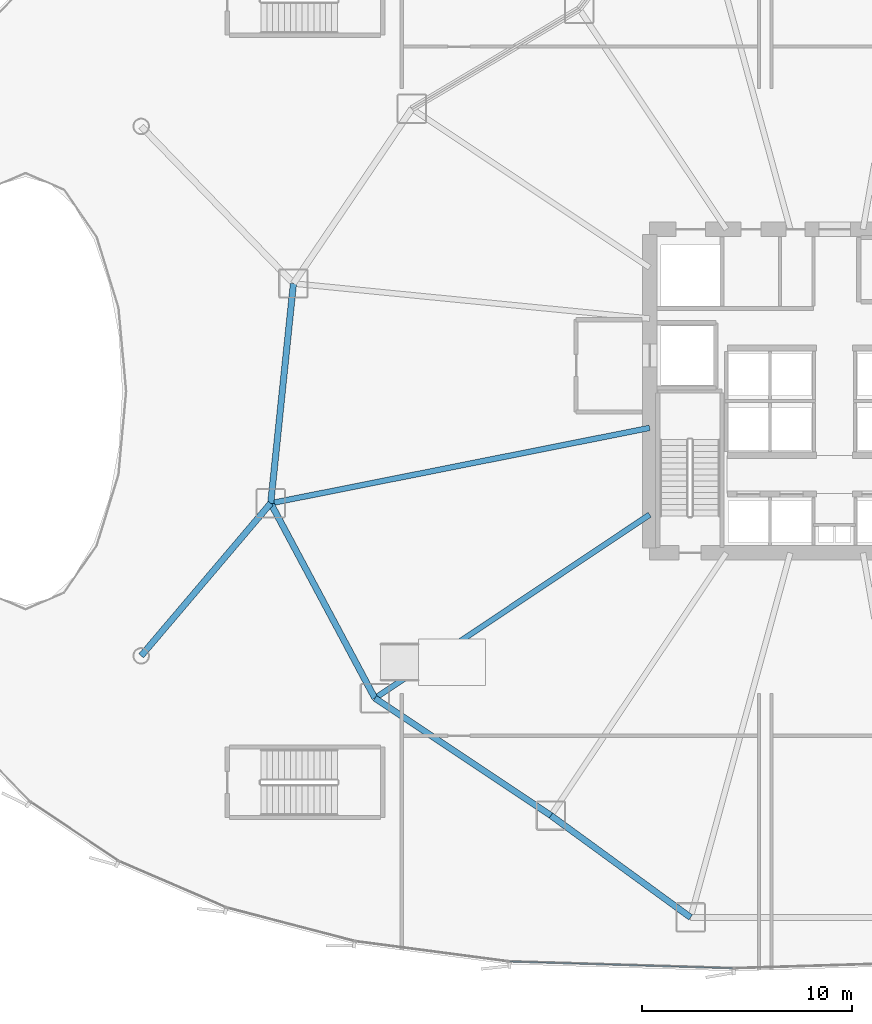
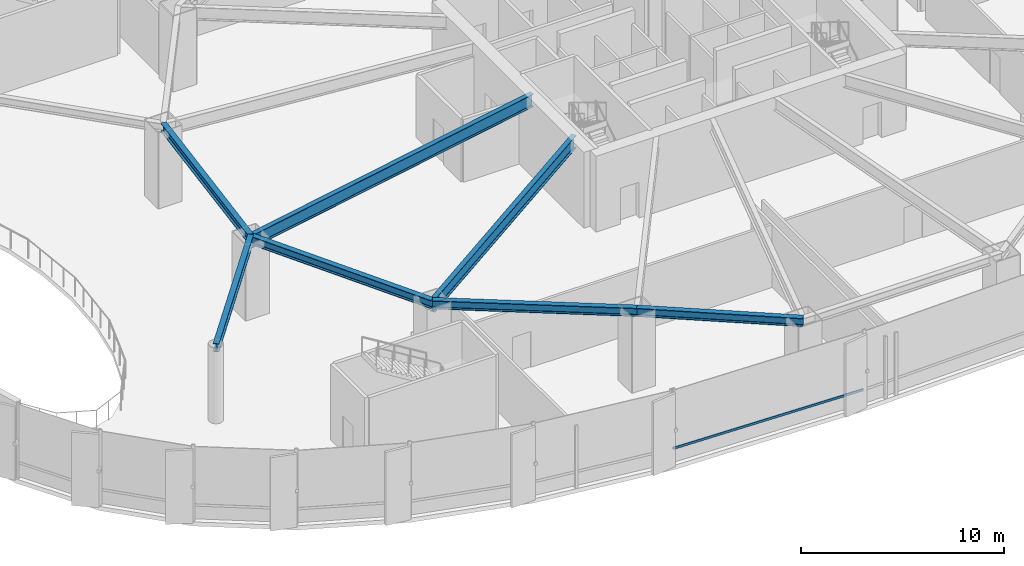
# One storey, part 5 of 34: 7 beams, 1 member, 1 element without a shape of its own.
"""IFC4 building model written with IfcOpenShell, lengths in metres."""

from ifc_helpers import new_model, si_unit, direction, frame, origin, origin_2d, place, context, subcontext, project, spatial, hollow_rectangle, i_section, extrude, source, transform, mapped, material, layer, layer_set, material_profile, profile_set, type_object, element, aggregate, save


model = new_model("IFC4")

# Units and contexts
model_context = context("Model", 3, precision=1e-05, world=origin(), true_north=direction((0.0, 1.0)))
body_context = subcontext(model_context, "Body", "Model", "MODEL_VIEW")
ifc_project = project(units=[si_unit("LENGTHUNIT", "METRE"), si_unit("AREAUNIT", "SQUARE_METRE"), si_unit("VOLUMEUNIT", "CUBIC_METRE"), si_unit("PLANEANGLEUNIT", "RADIAN"), si_unit("MASSUNIT", "GRAM", prefix="KILO"), si_unit("THERMODYNAMICTEMPERATUREUNIT", "KELVIN")], contexts=[model_context])

# Site, building, storey
site_placement = place(None, origin())
site = spatial("IfcSite", under=ifc_project, at=site_placement, CompositionType="ELEMENT")
building_placement = place(site_placement, origin())
building = spatial("IfcBuilding", under=site, at=building_placement, Name="Kethvar Cultural Tower", CompositionType="ELEMENT")
storey_placement = place(building_placement, frame((0.0, 0.0, 5.199951171875)))
storey = spatial("IfcBuildingStorey", under=building, at=storey_placement, Name="L01", CompositionType="ELEMENT", Elevation=5.199951171875)

# Beams
ifc_material_1 = material(Name="Steel S355J2", Category="steel")
ifc_material_profile_1 = material_profile(ifc_material_1, i_section(OverallWidth=0.300048828125, OverallDepth=0.5, WebThickness=0.014404296875, FlangeThickness=0.028076171875, FilletRadius=0.027099609375, at=origin_2d()), Name="Steel S355J2 — HEB500")
ifc_profile_set_1 = profile_set([ifc_material_profile_1], Name="Steel S355J2 — HEB500")
beam_type_1 = type_object("IfcBeamType", Name="BM-SP500", PredefinedType="SPANDREL", material=ifc_profile_set_1)
shared_shape_1 = source(origin(), body_context, "Body", "SweptSolid", [
    extrude(i_section(OverallWidth=0.300048828125, OverallDepth=0.5, WebThickness=0.014404296875, FlangeThickness=0.028076171875, FilletRadius=0.027099609375, at=origin_2d()), origin(), (0.0, 0.0, 1.0), 10.515869140625),
])
beam_1_placement = place(storey_placement, frame((21.047119140625, 32.922607421875, 4.298095703125), z_axis=(-0.102824694973, -0.994699493367, 0.0), x_axis=(0.994699493367, -0.102824694973, 0.0)))
element("IfcBeam", 1, at=beam_1_placement, inside=storey, type_object=beam_type_1, Name="L01 Podium Ring Beam 08", PredefinedType="SPANDREL", context=body_context, shape_type="MappedRepresentation", body=[
    mapped(shared_shape_1, transform((0.0, 0.0, 0.0), scale=1.0)),
])
shared_shape_2 = source(origin(), body_context, "Body", "SweptSolid", [
    extrude(i_section(OverallWidth=0.300048828125, OverallDepth=0.5, WebThickness=0.014404296875, FlangeThickness=0.028076171875, FilletRadius=0.027099609375, at=origin_2d()), origin(), (0.0, 0.0, 1.0), 10.52099609375),
])
beam_2_placement = place(storey_placement, frame((19.9658203125, 22.46240234375, 4.298095703125), z_axis=(0.471339616984, -0.881951793162, 0.0), x_axis=(0.881951793162, 0.471339616984, 0.0)))
element("IfcBeam", 2, at=beam_2_placement, inside=storey, type_object=beam_type_1, Name="L01 Podium Ring Beam 09", PredefinedType="SPANDREL", context=body_context, shape_type="MappedRepresentation", body=[
    mapped(shared_shape_2, transform((0.0, 0.0, 0.0), scale=1.0)),
])
shared_shape_3 = source(origin(), body_context, "Body", "SweptSolid", [
    extrude(i_section(OverallWidth=0.300048828125, OverallDepth=0.5, WebThickness=0.014404296875, FlangeThickness=0.028076171875, FilletRadius=0.027099609375, at=origin_2d()), origin(), (0.0, 0.0, 1.0), 10.06787109375),
])
beam_3_placement = place(storey_placement, frame((24.9248046875, 13.183349609375, 4.298095703125), z_axis=(0.832065216665, -0.554677812083, 0.0), x_axis=(0.554677812083, 0.832065216665, 0.0)))
element("IfcBeam", 3, at=beam_3_placement, inside=storey, type_object=beam_type_1, Name="L01 Podium Ring Beam 10", PredefinedType="SPANDREL", context=body_context, shape_type="MappedRepresentation", body=[
    mapped(shared_shape_3, transform((0.0, 0.0, 0.0), scale=1.0)),
])
shared_shape_4 = source(origin(), body_context, "Body", "SweptSolid", [
    extrude(i_section(OverallWidth=0.300048828125, OverallDepth=0.5, WebThickness=0.014404296875, FlangeThickness=0.028076171875, FilletRadius=0.027099609375, at=origin_2d()), origin(), (0.0, 0.0, 1.0), 8.228515625),
])
beam_4_placement = place(storey_placement, frame((33.302001953125, 7.598876953125, 4.298095703125), z_axis=(0.807925716462, -0.589284342808, 0.0), x_axis=(0.589284342808, 0.807925716462, 0.0)))
element("IfcBeam", 4, at=beam_4_placement, inside=storey, type_object=beam_type_1, Name="L01 Podium Ring Beam 11", PredefinedType="SPANDREL", context=body_context, shape_type="MappedRepresentation", body=[
    mapped(shared_shape_4, transform((0.0, 0.0, 0.0), scale=1.0)),
])
shared_shape_5 = source(origin(), body_context, "Body", "SweptSolid", [
    extrude(i_section(OverallWidth=0.300048828125, OverallDepth=0.5, WebThickness=0.014404296875, FlangeThickness=0.028076171875, FilletRadius=0.027099609375, at=origin_2d()), origin(), (0.0, 0.0, 1.0), 9.52685546875),
])
beam_5_placement = place(storey_placement, frame((13.800048828125, 15.199951171875, 4.298095703125), z_axis=(0.647202724352, 0.762317934717, 0.0), x_axis=(-0.762317934717, 0.647202724352, 0.0)))
element("IfcBeam", 5, at=beam_5_placement, inside=storey, type_object=beam_type_1, Name="L01 West Atrium Wing Beam 01", PredefinedType="SPANDREL", context=body_context, shape_type="MappedRepresentation", body=[
    mapped(shared_shape_5, transform((0.0, 0.0, 0.0), scale=1.0)),
])
ifc_material_profile_2 = material_profile(ifc_material_1, i_section(OverallWidth=0.26708984375, OverallDepth=0.761962890625, WebThickness=0.014404296875, FlangeThickness=0.021484375, FilletRadius=0.01708984375, at=origin_2d()), Name="Steel S355J2 — IPE750x173")
ifc_profile_set_2 = profile_set([ifc_material_profile_2], Name="Steel S355J2 — IPE750x173")
beam_type_2 = type_object("IfcBeamType", Name="BM-IPE750", PredefinedType="BEAM", material=ifc_profile_set_2)
shared_shape_6 = source(origin(), body_context, "Body", "SweptSolid", [
    extrude(i_section(OverallWidth=0.26708984375, OverallDepth=0.761962890625, WebThickness=0.014404296875, FlangeThickness=0.021484375, FilletRadius=0.01708984375, at=origin_2d()), origin(), (0.0, 0.0, 1.0), 18.387451171875),
])
beam_6_placement = place(storey_placement, frame((38.0, 26.049560546875, 4.1669921875), z_axis=(-0.980785937774, -0.195087017162, 0.0), x_axis=(0.195087017162, -0.980785937774, 0.0)))
element("IfcBeam", 6, at=beam_6_placement, inside=storey, type_object=beam_type_2, Name="L01 Podium Radial Girder 09", PredefinedType="BEAM", context=body_context, shape_type="MappedRepresentation", body=[
    mapped(shared_shape_6, transform((0.0, 0.0, 0.0), scale=1.0)),
])
shared_shape_7 = source(origin(), body_context, "Body", "SweptSolid", [
    extrude(i_section(OverallWidth=0.26708984375, OverallDepth=0.761962890625, WebThickness=0.014404296875, FlangeThickness=0.021484375, FilletRadius=0.01708984375, at=origin_2d()), origin(), (0.0, 0.0, 1.0), 15.725341796875),
])
beam_7_placement = place(storey_placement, frame((38.0, 21.919921875, 4.1669921875), z_axis=(-0.831469433959, -0.555570499929, 0.0), x_axis=(0.555570499929, -0.831469433959, 0.0)))
element("IfcBeam", 7, at=beam_7_placement, inside=storey, type_object=beam_type_2, Name="L01 Podium Radial Girder 10", PredefinedType="BEAM", context=body_context, shape_type="MappedRepresentation", body=[
    mapped(shared_shape_7, transform((0.0, 0.0, 0.0), scale=1.0)),
])

# Curtain wall, member
ifc_material_2 = material(Name="Aluminium 6063-T6", Category="aluminium")
ifc_layer = layer(ifc_material_2, 0.179931640625, Name="Aluminium 6063-T6", Category="aluminium")
ifc_layer_set = layer_set([ifc_layer], Name="Aluminium 6063-T6 (180 mm)")
curtain_wall_type = type_object("IfcCurtainWallType", Name="CW-SYS-01-POD", PredefinedType="NOTDEFINED", material=ifc_layer_set)
curtain_wall_placement = place(storey_placement, origin())
curtain_wall = element("IfcCurtainWall", 8, at=curtain_wall_placement, inside=storey, type_object=curtain_wall_type, Name="L01 Curtain Wall Run 05", PredefinedType="NOTDEFINED")
ifc_material_profile_3 = material_profile(ifc_material_2, hollow_rectangle(XDim=0.06005859375, YDim=0.139892578125, WallThickness=0.0048828125, at=origin_2d()), Name="Aluminium 6063-T6 — RHS140x60x5")
ifc_profile_set_3 = profile_set([ifc_material_profile_3], Name="Aluminium 6063-T6 — RHS140x60x5")
member_type = type_object("IfcMemberType", Name="CW-SYS-01-POD-TRN", PredefinedType="USERDEFINED", material=ifc_profile_set_3)
shared_shape_8 = source(origin(), body_context, "Body", "SweptSolid", [
    extrude(hollow_rectangle(XDim=0.06005859375, YDim=0.139892578125, WallThickness=0.0048828125, at=origin_2d()), origin(), (0.0, 0.0, 1.0), 10.61279296875),
])
member_placement = place(storey_placement, frame((31.342041015625, 0.6513671875, 0.949951171875), z_axis=(0.999545810513, -0.030135903608, 0.0), x_axis=(0.030135903608, 0.999545810513, 0.0)))
member = element("IfcMember", 9, at=member_placement, type_object=member_type, Name="CW-L01-R05 Transom 1", ObjectType="TRANSOM", PredefinedType="USERDEFINED", context=body_context, shape_type="MappedRepresentation", body=[
    mapped(shared_shape_8, transform((0.0, 0.0, 0.0), scale=1.0)),
])
aggregate(curtain_wall, [member])

save(model, "model.ifc")
